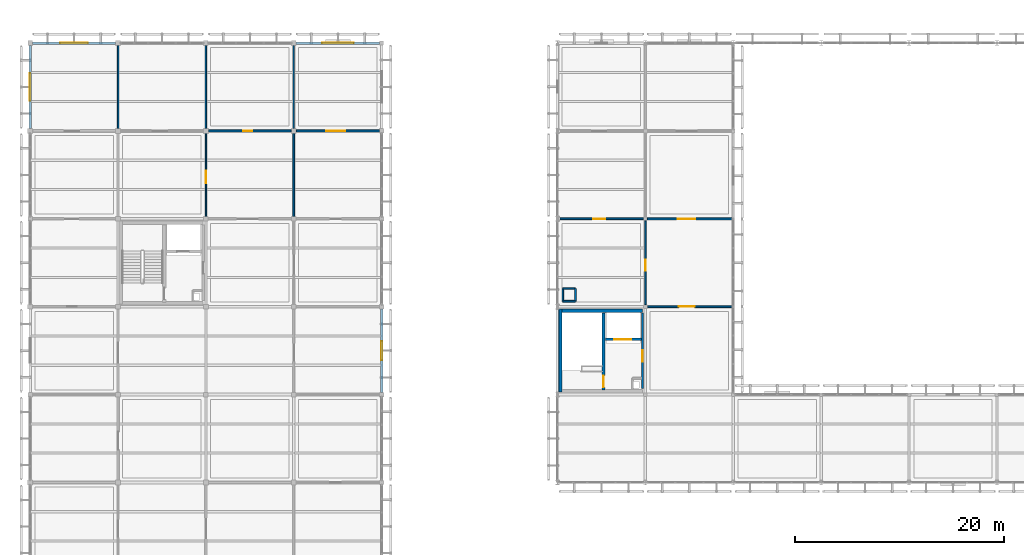
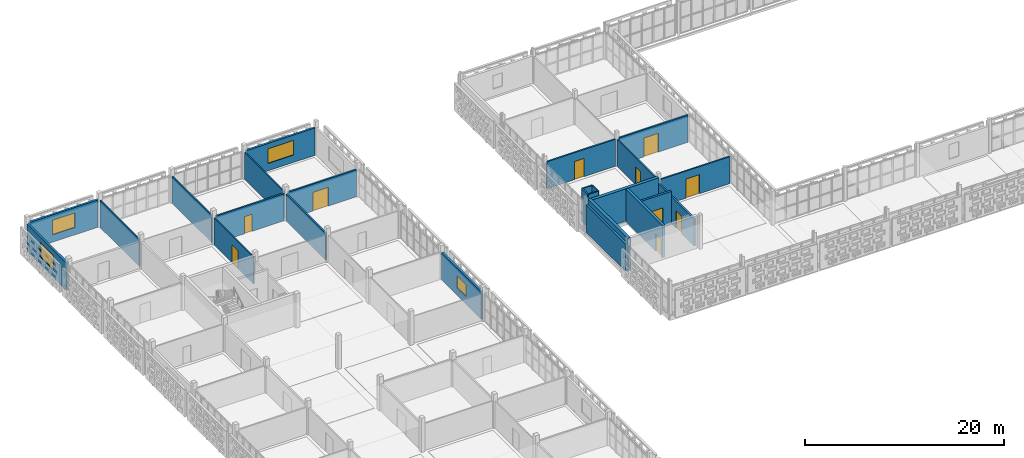
# One storey, part 87 of 140: 25 walls, 10 doors, 4 windows, 14 openings.
"""IFC4 building model written with IfcOpenShell, lengths in metres."""

from ifc_helpers import new_model, si_unit, direction, frame, frame_2d, origin, place, context, subcontext, project, spatial, rectangle, extrude, material, layer, layer_set, type_object, element, fill, save


model = new_model("IFC4")

# Units and contexts
model_context = context("Model", 3, precision=1e-05, world=origin(), true_north=direction((0.0, 1.0)))
body_context = subcontext(model_context, "Body", "Model", "MODEL_VIEW")
ifc_project = project(units=[si_unit("LENGTHUNIT", "METRE"), si_unit("AREAUNIT", "SQUARE_METRE"), si_unit("VOLUMEUNIT", "CUBIC_METRE"), si_unit("PLANEANGLEUNIT", "RADIAN"), si_unit("MASSUNIT", "GRAM", prefix="KILO")], contexts=[model_context])

# Site, building, storey
site_placement = place(None, origin())
site = spatial("IfcSite", under=ifc_project, at=site_placement, CompositionType="ELEMENT")
building_placement = place(site_placement, origin())
building = spatial("IfcBuilding", under=site, at=building_placement, Name="Varnapada Polytechnic", CompositionType="ELEMENT")
storey_placement = place(building_placement, frame((0.0, 0.0, 13.800048828125)))
storey = spatial("IfcBuildingStorey", under=building, at=storey_placement, Name="L03", CompositionType="ELEMENT", Elevation=13.800048828125)

# Wall, opening, door
ifc_material_1 = material(Name="Autoclaved Aerated Concrete Block AAC-600", Category="concrete")
ifc_layer_1 = layer(ifc_material_1, 0.199951171875)
ifc_layer_set_1 = layer_set([ifc_layer_1], Name="Autoclaved Aerated Concrete Block AAC-600")
wall_type_1 = type_object("IfcWallType", Name="Interior Wall IW-01", PredefinedType="PARTITIONING", material=ifc_layer_set_1)
wall_1_placement = place(storey_placement, frame((58.5400390625, 100.199951171875, 0.0), z_axis=(0.0, 0.0, 1.0), x_axis=(0.0, -1.0, 0.0)))
wall_1 = element("IfcWall", 1, at=wall_1_placement, inside=storey, type_object=wall_type_1, Name="L03 C4 firefighting lobby east wall", PredefinedType="PARTITIONING", context=body_context, shape_type="SweptSolid", body=[
    extrude(rectangle(XDim=7.199951171875, YDim=0.199951171875, at=frame_2d((3.60009765625, 0.0))), origin(), (0.0, 0.0, 1.0), 3.320068359375),
])
opening_1_placement = place(wall_1_placement, frame((3.550048828125, 0.0, 0.0)))
opening_1 = element("IfcOpeningElement", 2, at=opening_1_placement, cuts=wall_1, Name="Opening D-1192", PredefinedType="OPENING", context=body_context, shape_type="SweptSolid", body=[
    extrude(rectangle(XDim=1.10009765625, YDim=2.14990234375, at=frame_2d((0.550048828125, 1.074951171875))), frame((0.0, 0.10986328125, 0.0), z_axis=(0.0, -1.0, 0.0), x_axis=(1.0, 0.0, 0.0)), (0.0, 0.0, 1.0), 0.219970703125),
])
ifc_material_2 = material(Name="Galvanized Steel Z275", Category="steel")
door_type_1 = type_object("IfcDoorType", Name="Interior Door ID-01", OperationType="NOTDEFINED", PredefinedType="DOOR", material=ifc_material_2)
door_1_placement = place(opening_1_placement, frame((1.10009765625, 0.0, 0.0), z_axis=(0.0, 0.0, 1.0), x_axis=(-1.0, 0.0, 0.0)))
door_1 = element("IfcDoor", 3, at=door_1_placement, inside=storey, type_object=door_type_1, Name="L03 C4 lobby fire door D-1192", OperationType="SINGLE_SWING_RIGHT", OverallHeight=2.14990234375, OverallWidth=1.10009765625, PredefinedType="DOOR", context=body_context, shape_type="SweptSolid", body=[
    extrude(rectangle(XDim=1.10009765625, YDim=2.14990234375, at=frame_2d((0.550048828125, 1.074951171875))), frame((0.0, 0.02490234375, 0.0), z_axis=(0.0, -1.0, 0.0), x_axis=(1.0, 0.0, 0.0)), (0.0, 0.0, 1.0), 0.050048828125),
])
fill(opening_1, door_1)

# Walls
ifc_layer_2 = layer(ifc_material_1, 0.14990234375)
ifc_layer_set_2 = layer_set([ifc_layer_2], Name="Autoclaved Aerated Concrete Block AAC-600")
wall_type_2 = type_object("IfcWallType", Name="Interior Wall IW-02", PredefinedType="PARTITIONING", material=ifc_layer_set_2)
wall_2_placement = place(storey_placement, frame((50.919921875, 101.320068359375, 0.0), z_axis=(0.0, 0.0, 1.0), x_axis=(1.0, 0.0, 0.0)))
element("IfcWall", 4, at=wall_2_placement, inside=storey, type_object=wall_type_2, Name="L03 enclosed service riser wall (7,13) S", PredefinedType="PARTITIONING", context=body_context, shape_type="SweptSolid", body=[
    extrude(rectangle(XDim=1.2001953125, YDim=0.14990234375, at=frame_2d((0.60009765625, 0.0))), origin(), (0.0, 0.0, 1.0), 3.97998046875),
])
wall_3_placement = place(storey_placement, frame((52.1201171875, 101.320068359375, 0.0), z_axis=(0.0, 0.0, 1.0), x_axis=(0.0, 1.0, 0.0)))
element("IfcWall", 5, at=wall_3_placement, inside=storey, type_object=wall_type_2, Name="L03 enclosed service riser wall (7,13) E", PredefinedType="PARTITIONING", context=body_context, shape_type="SweptSolid", body=[
    extrude(rectangle(XDim=1.199951171875, YDim=0.14990234375, at=frame_2d((0.60009765625, 0.0))), origin(), (0.0, 0.0, 1.0), 3.97998046875),
])
wall_4_placement = place(storey_placement, frame((52.1201171875, 102.52001953125, 0.0), z_axis=(0.0, 0.0, 1.0), x_axis=(-1.0, 0.0, 0.0)))
element("IfcWall", 6, at=wall_4_placement, inside=storey, type_object=wall_type_2, Name="L03 enclosed service riser wall (7,13) N", PredefinedType="PARTITIONING", context=body_context, shape_type="SweptSolid", body=[
    extrude(rectangle(XDim=1.2001953125, YDim=0.14990234375, at=frame_2d((0.60009765625, 0.0))), origin(), (0.0, 0.0, 1.0), 3.97998046875),
])
wall_5_placement = place(storey_placement, frame((50.919921875, 102.52001953125, 0.0), z_axis=(0.0, 0.0, 1.0), x_axis=(0.0, -1.0, 0.0)))
element("IfcWall", 7, at=wall_5_placement, inside=storey, type_object=wall_type_2, Name="L03 enclosed service riser wall (7,13) W", PredefinedType="PARTITIONING", context=body_context, shape_type="SweptSolid", body=[
    extrude(rectangle(XDim=1.199951171875, YDim=0.14990234375, at=frame_2d((0.60009765625, 0.0))), origin(), (0.0, 0.0, 1.0), 3.97998046875),
])
wall_6_placement = place(storey_placement, frame((8.39990234375, 117.85009765625, 0.0), z_axis=(0.0, 0.0, 1.0), x_axis=(0.0, 1.0, 0.0)))
element("IfcWall", 8, at=wall_6_placement, inside=storey, type_object=wall_type_2, Name="L03 interior partition IW-L03-00-14-V", PredefinedType="PARTITIONING", context=body_context, shape_type="SweptSolid", body=[
    extrude(rectangle(XDim=7.909912109375, YDim=0.14990234375, at=frame_2d((3.955078125, 0.0))), origin(), (0.0, 0.0, 1.0), 3.320068359375),
])

# Wall, opening, door
ifc_material_3 = material(Name="Cross-laminated timber CLT C24", Category="wood")
ifc_layer_3 = layer(ifc_material_3, 0.159912109375)
ifc_layer_set_3 = layer_set([ifc_layer_3], Name="Cross-laminated timber CLT C24")
wall_type_3 = type_object("IfcWallType", Name="Interior Wall IW-05", PredefinedType="PARTITIONING", material=ifc_layer_set_3)
wall_7_placement = place(storey_placement, frame((58.800048828125, 101.0, 0.0), z_axis=(0.0, 0.0, 1.0), x_axis=(0.0, 1.0, 0.0)))
wall_7 = element("IfcWall", 9, at=wall_7_placement, inside=storey, type_object=wall_type_3, Name="L03 interior partition IW-L03-06-12-V", PredefinedType="PARTITIONING", context=body_context, shape_type="SweptSolid", body=[
    extrude(rectangle(XDim=8.010009765625, YDim=0.159912109375, at=frame_2d((4.0048828125, 0.0))), origin(), (0.0, 0.0, 1.0), 3.320068359375),
])
opening_2_placement = place(wall_7_placement, frame((3.22509765625, 0.0, 0.0)))
opening_2 = element("IfcOpeningElement", 10, at=opening_2_placement, cuts=wall_7, Name="Opening D-1231", PredefinedType="OPENING", context=body_context, shape_type="SweptSolid", body=[
    extrude(rectangle(XDim=1.050048828125, YDim=2.199951171875, at=frame_2d((0.52490234375, 1.10009765625))), frame((0.0, 0.08984375, 0.0), z_axis=(0.0, -1.0, 0.0), x_axis=(1.0, 0.0, 0.0)), (0.0, 0.0, 1.0), 0.179931640625),
])
ifc_material_4 = material(Name="Solid Teak Hardwood Timber", Category="wood")
door_type_2 = type_object("IfcDoorType", Name="Interior Door ID-09", OperationType="NOTDEFINED", PredefinedType="DOOR", material=ifc_material_4)
door_2_placement = place(opening_2_placement, origin())
door_2 = element("IfcDoor", 11, at=door_2_placement, inside=storey, type_object=door_type_2, Name="L03 interior room door D-1231", OperationType="SINGLE_SWING_RIGHT", OverallHeight=2.199951171875, OverallWidth=1.050048828125, PredefinedType="DOOR", context=body_context, shape_type="SweptSolid", body=[
    extrude(rectangle(XDim=1.050048828125, YDim=2.199951171875, at=frame_2d((0.52490234375, 1.10009765625))), frame((0.0, 0.02490234375, 0.0), z_axis=(0.0, -1.0, 0.0), x_axis=(1.0, 0.0, 0.0)), (0.0, 0.0, 1.0), 0.050048828125),
])
fill(opening_2, door_2)

ifc_material_5 = material(Name="Acoustic Double-Stud Studio Partition")
ifc_layer_4 = layer(ifc_material_5, 0.179931640625)
ifc_layer_set_4 = layer_set([ifc_layer_4], Name="Acoustic Double-Stud Studio Partition")
wall_type_4 = type_object("IfcWallType", Name="Interior Wall IW-06", PredefinedType="PARTITIONING", material=ifc_layer_set_4)
wall_8_placement = place(storey_placement, frame((50.64501953125, 109.199951171875, 0.0), z_axis=(0.0, 0.0, 1.0), x_axis=(1.0, 0.0, 0.0)))
wall_8 = element("IfcWall", 12, at=wall_8_placement, inside=storey, type_object=wall_type_4, Name="L03 interior partition IW-L03-06-12-H", PredefinedType="PARTITIONING", context=body_context, shape_type="SweptSolid", body=[
    extrude(rectangle(XDim=7.965087890625, YDim=0.179931640625, at=frame_2d((3.982421875, 0.0))), origin(), (0.0, 0.0, 1.0), 3.320068359375),
])
opening_3_placement = place(wall_8_placement, frame((3.175048828125, 0.0, 0.0)))
opening_3 = element("IfcOpeningElement", 13, at=opening_3_placement, cuts=wall_8, Name="Opening D-1232", PredefinedType="OPENING", context=body_context, shape_type="SweptSolid", body=[
    extrude(rectangle(XDim=1.14990234375, YDim=2.25, at=frame_2d((0.574951171875, 1.125))), frame((0.0, 0.099853515625, 0.0), z_axis=(0.0, -1.0, 0.0), x_axis=(1.0, 0.0, 0.0)), (0.0, 0.0, 1.0), 0.199951171875),
])
ifc_material_6 = material(Name="Powder-Coated Aluminium 6063-T6", Category="aluminium")
door_type_3 = type_object("IfcDoorType", Name="Interior Door ID-10", OperationType="NOTDEFINED", PredefinedType="DOOR", material=ifc_material_6)
door_3_placement = place(opening_3_placement, frame((1.14990234375, 0.0, 0.0), z_axis=(0.0, 0.0, 1.0), x_axis=(-1.0, 0.0, 0.0)))
door_3 = element("IfcDoor", 14, at=door_3_placement, inside=storey, type_object=door_type_3, Name="L03 interior room door D-1232", OperationType="SINGLE_SWING_LEFT", OverallHeight=2.25, OverallWidth=1.14990234375, PredefinedType="DOOR", context=body_context, shape_type="SweptSolid", body=[
    extrude(rectangle(XDim=1.14990234375, YDim=2.25, at=frame_2d((0.574951171875, 1.125))), frame((0.0, 0.02490234375, 0.0), z_axis=(0.0, -1.0, 0.0), x_axis=(1.0, 0.0, 0.0)), (0.0, 0.0, 1.0), 0.050048828125),
])
fill(opening_3, door_3)

ifc_material_7 = material(Name="Glazed Timber-Framed Studio Screen", Category="wood")
ifc_layer_5 = layer(ifc_material_7, 0.110107421875)
ifc_layer_set_5 = layer_set([ifc_layer_5], Name="Glazed Timber-Framed Studio Screen")
wall_type_5 = type_object("IfcWallType", Name="Interior Wall IW-07", PredefinedType="PARTITIONING", material=ifc_layer_set_5)
wall_9_placement = place(storey_placement, frame((16.800048828125, 109.43994140625, 0.0), z_axis=(0.0, 0.0, 1.0), x_axis=(0.0, 1.0, 0.0)))
wall_9 = element("IfcWall", 15, at=wall_9_placement, inside=storey, type_object=wall_type_5, Name="L03 interior partition IW-L03-01-13-V", PredefinedType="PARTITIONING", context=body_context, shape_type="SweptSolid", body=[
    extrude(rectangle(XDim=7.91015625, YDim=0.110107421875, at=frame_2d((3.955078125, 0.0))), origin(), (0.0, 0.0, 1.0), 3.320068359375),
])
opening_4_placement = place(wall_9_placement, frame((3.14990234375, 0.0, 0.0)))
opening_4 = element("IfcOpeningElement", 16, at=opening_4_placement, cuts=wall_9, Name="Opening D-1210", PredefinedType="OPENING", context=body_context, shape_type="SweptSolid", body=[
    extrude(rectangle(XDim=1.199951171875, YDim=2.199951171875, at=frame_2d((0.60009765625, 1.10009765625))), frame((0.0, 0.06494140625, 0.0), z_axis=(0.0, -1.0, 0.0), x_axis=(1.0, 0.0, 0.0)), (0.0, 0.0, 1.0), 0.130126953125),
])
door_type_4 = type_object("IfcDoorType", Name="Interior Door ID-05", OperationType="NOTDEFINED", PredefinedType="DOOR", material=ifc_material_4)
door_4_placement = place(opening_4_placement, origin())
door_4 = element("IfcDoor", 17, at=door_4_placement, inside=storey, type_object=door_type_4, Name="L03 interior room door D-1210", OperationType="SINGLE_SWING_LEFT", OverallHeight=2.199951171875, OverallWidth=1.199951171875, PredefinedType="DOOR", context=body_context, shape_type="SweptSolid", body=[
    extrude(rectangle(XDim=1.199951171875, YDim=2.199951171875, at=frame_2d((0.60009765625, 1.10009765625))), frame((0.0, 0.02490234375, 0.0), z_axis=(0.0, -1.0, 0.0), x_axis=(1.0, 0.0, 0.0)), (0.0, 0.0, 1.0), 0.050048828125),
])
fill(opening_4, door_4)

# Walls
ifc_material_8 = material(Name="Calcium Silicate Acoustic Lab Partition")
ifc_layer_6 = layer(ifc_material_8, 0.135009765625)
ifc_layer_set_6 = layer_set([ifc_layer_6], Name="Calcium Silicate Acoustic Lab Partition")
wall_type_6 = type_object("IfcWallType", Name="Interior Wall IW-09", PredefinedType="PARTITIONING", material=ifc_layer_set_6)
wall_10_placement = place(storey_placement, frame((16.800048828125, 117.85009765625, 0.0), z_axis=(0.0, 0.0, 1.0), x_axis=(0.0, 1.0, 0.0)))
element("IfcWall", 18, at=wall_10_placement, inside=storey, type_object=wall_type_6, Name="L03 interior partition IW-L03-01-14-V", PredefinedType="PARTITIONING", context=body_context, shape_type="SweptSolid", body=[
    extrude(rectangle(XDim=7.909912109375, YDim=0.135009765625, at=frame_2d((3.955078125, 0.0))), origin(), (0.0, 0.0, 1.0), 3.320068359375),
])
ifc_material_9 = material(Name="Double-Layer Fireboard Workshop Wall")
ifc_layer_7 = layer(ifc_material_9, 0.169921875)
ifc_layer_set_7 = layer_set([ifc_layer_7], Name="Double-Layer Fireboard Workshop Wall")
wall_type_7 = type_object("IfcWallType", Name="Interior Wall IW-10", PredefinedType="PARTITIONING", material=ifc_layer_set_7)
wall_11_placement = place(storey_placement, frame((25.199951171875, 109.43994140625, 0.0), z_axis=(0.0, 0.0, 1.0), x_axis=(0.0, 1.0, 0.0)))
element("IfcWall", 19, at=wall_11_placement, inside=storey, type_object=wall_type_7, Name="L03 interior partition IW-L03-02-13-V", PredefinedType="PARTITIONING", context=body_context, shape_type="SweptSolid", body=[
    extrude(rectangle(XDim=7.91015625, YDim=0.169921875, at=frame_2d((3.955078125, 0.0))), origin(), (0.0, 0.0, 1.0), 3.320068359375),
])

# Wall, opening, door
wall_12_placement = place(storey_placement, frame((59.0, 100.800048828125, 0.0), z_axis=(0.0, 0.0, 1.0), x_axis=(1.0, 0.0, 0.0)))
wall_12 = element("IfcWall", 20, at=wall_12_placement, inside=storey, type_object=wall_type_7, Name="L03 interior partition IW-L03-07-11-H", PredefinedType="PARTITIONING", context=body_context, shape_type="SweptSolid", body=[
    extrude(rectangle(XDim=8.054931640625, YDim=0.169921875, at=frame_2d((4.02734375, 0.0))), origin(), (0.0, 0.0, 1.0), 3.320068359375),
])
opening_5_placement = place(wall_12_placement, frame((2.97509765625, 0.0, 0.0)))
opening_5 = element("IfcOpeningElement", 21, at=opening_5_placement, cuts=wall_12, Name="Opening D-1234", PredefinedType="OPENING", context=body_context, shape_type="SweptSolid", body=[
    extrude(rectangle(XDim=1.550048828125, YDim=2.35009765625, at=frame_2d((0.77490234375, 1.175048828125))), frame((0.0, 0.094970703125, 0.0), z_axis=(0.0, -1.0, 0.0), x_axis=(1.0, 0.0, 0.0)), (0.0, 0.0, 1.0), 0.18994140625),
])
door_type_5 = type_object("IfcDoorType", Name="Interior Door ID-12", OperationType="NOTDEFINED", PredefinedType="DOOR", material=ifc_material_2)
door_5_placement = place(opening_5_placement, origin())
door_5 = element("IfcDoor", 22, at=door_5_placement, inside=storey, type_object=door_type_5, Name="L03 interior room door D-1234", OperationType="SINGLE_SWING_LEFT", OverallHeight=2.35009765625, OverallWidth=1.550048828125, PredefinedType="DOOR", context=body_context, shape_type="SweptSolid", body=[
    extrude(rectangle(XDim=1.550048828125, YDim=2.35009765625, at=frame_2d((0.77490234375, 1.175048828125))), frame((0.0, 0.02490234375, 0.0), z_axis=(0.0, -1.0, 0.0), x_axis=(1.0, 0.0, 0.0)), (0.0, 0.0, 1.0), 0.050048828125),
])
fill(opening_5, door_5)

ifc_material_10 = material(Name="Insulated Masonry Plant Room Wall", Category="masonry")
ifc_layer_8 = layer(ifc_material_10, 0.18994140625)
ifc_layer_set_8 = layer_set([ifc_layer_8], Name="Insulated Masonry Plant Room Wall")
wall_type_8 = type_object("IfcWallType", Name="Interior Wall IW-11", PredefinedType="PARTITIONING", material=ifc_layer_set_8)
wall_13_placement = place(storey_placement, frame((17.050048828125, 117.60009765625, 0.0), z_axis=(0.0, 0.0, 1.0), x_axis=(1.0, 0.0, 0.0)))
wall_13 = element("IfcWall", 23, at=wall_13_placement, inside=storey, type_object=wall_type_8, Name="L03 interior partition IW-L03-02-13-H", PredefinedType="PARTITIONING", context=body_context, shape_type="SweptSolid", body=[
    extrude(rectangle(XDim=7.89990234375, YDim=0.18994140625, at=frame_2d((3.949951171875, 0.0))), origin(), (0.0, 0.0, 1.0), 3.320068359375),
])
opening_6_placement = place(wall_13_placement, frame((3.300048828125, 0.0, 0.0)))
opening_6 = element("IfcOpeningElement", 24, at=opening_6_placement, cuts=wall_13, Name="Opening D-1220", PredefinedType="OPENING", context=body_context, shape_type="SweptSolid", body=[
    extrude(rectangle(XDim=0.89990234375, YDim=2.10009765625, at=frame_2d((0.449951171875, 1.050048828125))), frame((0.0, 0.10498046875, 0.0), z_axis=(0.0, -1.0, 0.0), x_axis=(1.0, 0.0, 0.0)), (0.0, 0.0, 1.0), 0.2099609375),
])
ifc_material_11 = material(Name="Moisture-Resistant HPL Timber", Category="wood")
door_type_6 = type_object("IfcDoorType", Name="Interior Door ID-15", OperationType="NOTDEFINED", PredefinedType="DOOR", material=ifc_material_11)
door_6_placement = place(opening_6_placement, frame((0.89990234375, 0.0, 0.0), z_axis=(0.0, 0.0, 1.0), x_axis=(-1.0, 0.0, 0.0)))
door_6 = element("IfcDoor", 25, at=door_6_placement, inside=storey, type_object=door_type_6, Name="L03 interior room door D-1220", OperationType="SINGLE_SWING_LEFT", OverallHeight=2.10009765625, OverallWidth=0.89990234375, PredefinedType="DOOR", context=body_context, shape_type="SweptSolid", body=[
    extrude(rectangle(XDim=0.89990234375, YDim=2.10009765625, at=frame_2d((0.449951171875, 1.050048828125))), frame((0.0, 0.02490234375, 0.0), z_axis=(0.0, -1.0, 0.0), x_axis=(1.0, 0.0, 0.0)), (0.0, 0.0, 1.0), 0.050048828125),
])
fill(opening_6, door_6)

wall_14_placement = place(storey_placement, frame((25.449951171875, 117.60009765625, 0.0), z_axis=(0.0, 0.0, 1.0), x_axis=(1.0, 0.0, 0.0)))
wall_14 = element("IfcWall", 26, at=wall_14_placement, inside=storey, type_object=wall_type_8, Name="L03 interior partition IW-L03-03-13-H", PredefinedType="PARTITIONING", context=body_context, shape_type="SweptSolid", body=[
    extrude(rectangle(XDim=7.920166015625, YDim=0.18994140625, at=frame_2d((3.9599609375, 0.0))), origin(), (0.0, 0.0, 1.0), 3.320068359375),
])
opening_7_placement = place(wall_14_placement, frame((2.85009765625, 0.0, 0.0)))
opening_7 = element("IfcOpeningElement", 27, at=opening_7_placement, cuts=wall_14, Name="Opening D-1226", PredefinedType="OPENING", context=body_context, shape_type="SweptSolid", body=[
    extrude(rectangle(XDim=1.800048828125, YDim=2.300048828125, at=frame_2d((0.89990234375, 1.14990234375))), frame((0.0, 0.10498046875, 0.0), z_axis=(0.0, -1.0, 0.0), x_axis=(1.0, 0.0, 0.0)), (0.0, 0.0, 1.0), 0.2099609375),
])
ifc_material_12 = material(Name="Acoustic Double Timber Leaf", Category="wood")
door_type_7 = type_object("IfcDoorType", Name="Interior Door ID-04", OperationType="NOTDEFINED", PredefinedType="DOOR", material=ifc_material_12)
door_7_placement = place(opening_7_placement, frame((1.800048828125, 0.0, 0.0), z_axis=(0.0, 0.0, 1.0), x_axis=(-1.0, 0.0, 0.0)))
door_7 = element("IfcDoor", 28, at=door_7_placement, inside=storey, type_object=door_type_7, Name="L03 interior room door D-1226", OperationType="SINGLE_SWING_LEFT", OverallHeight=2.300048828125, OverallWidth=1.800048828125, PredefinedType="DOOR", context=body_context, shape_type="SweptSolid", body=[
    extrude(rectangle(XDim=1.800048828125, YDim=2.300048828125, at=frame_2d((0.89990234375, 1.14990234375))), frame((0.0, 0.02490234375, 0.0), z_axis=(0.0, -1.0, 0.0), x_axis=(1.0, 0.0, 0.0)), (0.0, 0.0, 1.0), 0.050048828125),
])
fill(opening_7, door_7)

wall_15_placement = place(storey_placement, frame((58.989990234375, 109.199951171875, 0.0), z_axis=(0.0, 0.0, 1.0), x_axis=(1.0, 0.0, 0.0)))
wall_15 = element("IfcWall", 29, at=wall_15_placement, inside=storey, type_object=wall_type_8, Name="L03 interior partition IW-L03-07-12-H", PredefinedType="PARTITIONING", context=body_context, shape_type="SweptSolid", body=[
    extrude(rectangle(XDim=8.06494140625, YDim=0.18994140625, at=frame_2d((4.032470703125, 0.0))), origin(), (0.0, 0.0, 1.0), 3.320068359375),
])
opening_8_placement = place(wall_15_placement, frame((2.89990234375, 0.0, 0.0)))
opening_8 = element("IfcOpeningElement", 30, at=opening_8_placement, cuts=wall_15, Name="Opening D-1235", PredefinedType="OPENING", context=body_context, shape_type="SweptSolid", body=[
    extrude(rectangle(XDim=1.699951171875, YDim=2.300048828125, at=frame_2d((0.85009765625, 1.14990234375))), frame((0.0, 0.10498046875, 0.0), z_axis=(0.0, -1.0, 0.0), x_axis=(1.0, 0.0, 0.0)), (0.0, 0.0, 1.0), 0.2099609375),
])
door_type_8 = type_object("IfcDoorType", Name="Interior Door ID-13", OperationType="NOTDEFINED", PredefinedType="DOOR", material=ifc_material_12)
door_8_placement = place(opening_8_placement, frame((1.699951171875, 0.0, 0.0), z_axis=(0.0, 0.0, 1.0), x_axis=(-1.0, 0.0, 0.0)))
door_8 = element("IfcDoor", 31, at=door_8_placement, inside=storey, type_object=door_type_8, Name="L03 interior room door D-1235", OperationType="SINGLE_SWING_RIGHT", OverallHeight=2.300048828125, OverallWidth=1.699951171875, PredefinedType="DOOR", context=body_context, shape_type="SweptSolid", body=[
    extrude(rectangle(XDim=1.699951171875, YDim=2.300048828125, at=frame_2d((0.85009765625, 1.14990234375))), frame((0.0, 0.02490234375, 0.0), z_axis=(0.0, -1.0, 0.0), x_axis=(1.0, 0.0, 0.0)), (0.0, 0.0, 1.0), 0.050048828125),
])
fill(opening_8, door_8)

# Walls
ifc_material_13 = material(Name="Timber-Stud Studio Critique Partition", Category="wood")
ifc_layer_9 = layer(ifc_material_13, 0.114990234375)
ifc_layer_set_9 = layer_set([ifc_layer_9], Name="Timber-Stud Studio Critique Partition")
wall_type_9 = type_object("IfcWallType", Name="Interior Wall IW-12", PredefinedType="PARTITIONING", material=ifc_layer_set_9)
wall_16_placement = place(storey_placement, frame((25.199951171875, 117.85009765625, 0.0), z_axis=(0.0, 0.0, 1.0), x_axis=(0.0, 1.0, 0.0)))
element("IfcWall", 32, at=wall_16_placement, inside=storey, type_object=wall_type_9, Name="L03 interior partition IW-L03-02-14-V", PredefinedType="PARTITIONING", context=body_context, shape_type="SweptSolid", body=[
    extrude(rectangle(XDim=7.909912109375, YDim=0.114990234375, at=frame_2d((3.955078125, 0.0))), origin(), (0.0, 0.0, 1.0), 3.320068359375),
])
ifc_material_14 = material(Name="Concrete C40/50", Category="concrete")
ifc_layer_10 = layer(ifc_material_14, 0.35009765625)
ifc_layer_set_10 = layer_set([ifc_layer_10], Name="Concrete C40/50")
wall_type_10 = type_object("IfcWallType", Name="Interior Wall SW-01", PredefinedType="SHEAR", material=ifc_layer_set_10)
wall_17_placement = place(storey_placement, frame((50.6650390625, 92.64990234375, 0.0), z_axis=(0.0, 0.0, 1.0), x_axis=(0.0, 1.0, 0.0)))
element("IfcWall", 33, at=wall_17_placement, inside=storey, type_object=wall_type_10, Name="L03 C4 stair west shear wall", PredefinedType="SHEAR", context=body_context, shape_type="SweptSolid", body=[
    extrude(rectangle(XDim=7.940185546875, YDim=0.35009765625, at=frame_2d((3.97021484375, 0.0))), origin(), (0.0, 0.0, 1.0), 3.97998046875),
])
wall_18_placement = place(storey_placement, frame((50.6650390625, 100.419921875, 0.0), z_axis=(0.0, 0.0, 1.0), x_axis=(1.0, 0.0, 0.0)))
element("IfcWall", 34, at=wall_18_placement, inside=storey, type_object=wall_type_10, Name="L03 C4 core north shear wall", PredefinedType="SHEAR", context=body_context, shape_type="SweptSolid", body=[
    extrude(rectangle(XDim=7.875, YDim=0.35009765625, at=frame_2d((3.9375, 0.0))), origin(), (0.0, 0.0, 1.0), 3.97998046875),
])

# Wall, opening, door
ifc_layer_11 = layer(ifc_material_14, 0.300048828125)
ifc_layer_set_11 = layer_set([ifc_layer_11], Name="Concrete C40/50")
wall_type_11 = type_object("IfcWallType", Name="Interior Wall SW-02", PredefinedType="SHEAR", material=ifc_layer_set_11)
wall_19_placement = place(storey_placement, frame((54.81005859375, 92.820068359375, 0.0), z_axis=(0.0, 0.0, 1.0), x_axis=(0.0, 1.0, 0.0)))
wall_19 = element("IfcWall", 35, at=wall_19_placement, inside=storey, type_object=wall_type_11, Name="L03 C4 stair-lobby dividing shear wall", PredefinedType="SHEAR", context=body_context, shape_type="SweptSolid", body=[
    extrude(rectangle(XDim=7.3798828125, YDim=0.300048828125, at=frame_2d((3.68994140625, 0.0))), origin(), (0.0, 0.0, 1.0), 3.97998046875),
])
opening_9_placement = place(wall_19_placement, frame((0.280029296875, 0.0, 0.0)))
opening_9 = element("IfcOpeningElement", 36, at=opening_9_placement, cuts=wall_19, Name="Opening D-1193", PredefinedType="OPENING", context=body_context, shape_type="SweptSolid", body=[
    extrude(rectangle(XDim=1.10009765625, YDim=2.14990234375, at=frame_2d((0.550048828125, 1.074951171875))), frame((0.0, 0.159912109375, 0.0), z_axis=(0.0, -1.0, 0.0), x_axis=(1.0, 0.0, 0.0)), (0.0, 0.0, 1.0), 0.320068359375),
])
door_9_placement = place(opening_9_placement, origin())
door_9 = element("IfcDoor", 37, at=door_9_placement, inside=storey, type_object=door_type_1, Name="L03 C4 exit stair door D-1193", OperationType="SINGLE_SWING_RIGHT", OverallHeight=2.14990234375, OverallWidth=1.10009765625, PredefinedType="DOOR", context=body_context, shape_type="SweptSolid", body=[
    extrude(rectangle(XDim=1.10009765625, YDim=2.14990234375, at=frame_2d((0.550048828125, 1.074951171875))), frame((0.0, 0.02490234375, 0.0), z_axis=(0.0, -1.0, 0.0), x_axis=(1.0, 0.0, 0.0)), (0.0, 0.0, 1.0), 0.050048828125),
])
fill(opening_9, door_9)

ifc_layer_12 = layer(ifc_material_14, 0.25)
ifc_layer_set_12 = layer_set([ifc_layer_12], Name="Concrete C40/50")
wall_type_12 = type_object("IfcWallType", Name="Interior Wall SW-05", PredefinedType="SHEAR", material=ifc_layer_set_12)
wall_20_placement = place(storey_placement, frame((54.97998046875, 97.679931640625, 0.0), z_axis=(0.0, 0.0, 1.0), x_axis=(1.0, 0.0, 0.0)))
wall_20 = element("IfcWall", 38, at=wall_20_placement, inside=storey, type_object=wall_type_12, Name="L03 C4 lift shaft front wall", PredefinedType="SHEAR", context=body_context, shape_type="SweptSolid", body=[
    extrude(rectangle(XDim=3.4599609375, YDim=0.25, at=frame_2d((1.72998046875, 0.0))), origin(), (0.0, 0.0, 1.0), 3.97998046875),
])
opening_10_placement = place(wall_20_placement, frame((0.85009765625, 0.0, 0.0)))
opening_10 = element("IfcOpeningElement", 39, at=opening_10_placement, cuts=wall_20, Name="Opening LD-028", PredefinedType="OPENING", context=body_context, shape_type="SweptSolid", body=[
    extrude(rectangle(XDim=1.60009765625, YDim=2.300048828125, at=frame_2d((0.800048828125, 1.14990234375))), frame((0.0, 0.135009765625, 0.0), z_axis=(0.0, -1.0, 0.0), x_axis=(1.0, 0.0, 0.0)), (0.0, 0.0, 1.0), 0.27001953125),
])
ifc_material_15 = material(Name="Brushed Stainless Steel 316", Category="steel")
door_type_9 = type_object("IfcDoorType", Name="Interior Door LD-02", OperationType="NOTDEFINED", PredefinedType="DOOR", material=ifc_material_15)
door_10_placement = place(opening_10_placement, origin())
door_10 = element("IfcDoor", 40, at=door_10_placement, inside=storey, type_object=door_type_9, Name="L03 LFT-04 sliding lift landing door LD-028", OperationType="DOUBLE_DOOR_SLIDING", OverallHeight=2.300048828125, OverallWidth=1.60009765625, PredefinedType="DOOR", context=body_context, shape_type="SweptSolid", body=[
    extrude(rectangle(XDim=1.60009765625, YDim=2.300048828125, at=frame_2d((0.800048828125, 1.14990234375))), frame((0.0, 0.02490234375, 0.0), z_axis=(0.0, -1.0, 0.0), x_axis=(1.0, 0.0, 0.0)), (0.0, 0.0, 1.0), 0.050048828125),
])
fill(opening_10, door_10)

# Wall
ifc_material_16 = material(Name="Precast concrete C40/50", Category="concrete")
ifc_layer_13 = layer(ifc_material_16, 0.280029296875)
ifc_layer_set_13 = layer_set([ifc_layer_13], Name="Precast concrete C40/50")
wall_type_13 = type_object("IfcWallType", Name="Wall EW-02", PredefinedType="SOLIDWALL", material=ifc_layer_set_13)
wall_21_placement = place(storey_placement, frame((50.39990234375, 92.625, 0.0), z_axis=(0.0, 0.0, 1.0), x_axis=(0.0, 1.0, 0.0)))
element("IfcWall", 41, at=wall_21_placement, inside=storey, type_object=wall_type_13, Name="L03 exterior wall EW-02 (43)", PredefinedType="SOLIDWALL", context=body_context, shape_type="SweptSolid", body=[
    extrude(rectangle(XDim=7.949951171875, YDim=0.280029296875, at=frame_2d((3.97509765625, 0.0))), origin(), (0.0, 0.0, 1.0), 3.35986328125),
])

# Wall, opening, window
ifc_layer_14 = layer(ifc_material_16, 0.239990234375)
ifc_layer_set_14 = layer_set([ifc_layer_14], Name="Precast concrete C40/50")
wall_type_14 = type_object("IfcWallType", Name="Wall EW-06", PredefinedType="SOLIDWALL", material=ifc_layer_set_14)
wall_22_placement = place(storey_placement, frame((0.219970703125, 126.0, 0.0), z_axis=(0.0, 0.0, 1.0), x_axis=(1.0, 0.0, 0.0)))
wall_22 = element("IfcWall", 42, at=wall_22_placement, inside=storey, type_object=wall_type_14, Name="L03 exterior wall EW-06 (11)", PredefinedType="SOLIDWALL", context=body_context, shape_type="SweptSolid", body=[
    extrude(rectangle(XDim=7.9599609375, YDim=0.239990234375, at=frame_2d((3.97998046875, 0.0))), origin(), (0.0, 0.0, 1.0), 3.35986328125),
])
opening_11_placement = place(wall_22_placement, frame((2.655029296875, 0.0, 0.89990234375)))
opening_11 = element("IfcOpeningElement", 43, at=opening_11_placement, cuts=wall_22, Name="Opening WN-35", PredefinedType="OPENING", context=body_context, shape_type="SweptSolid", body=[
    extrude(rectangle(XDim=2.64990234375, YDim=1.800048828125, at=frame_2d((1.324951171875, 0.89990234375))), frame((0.0, 0.1298828125, 0.0), z_axis=(0.0, -1.0, 0.0), x_axis=(1.0, 0.0, 0.0)), (0.0, 0.0, 1.0), 0.260009765625),
])
ifc_material_17 = material(Name="Double low-E laminated glass", Category="glass")
window_type_1 = type_object("IfcWindowType", Name="Window WN-35", PartitioningType="SINGLE_PANEL", PredefinedType="WINDOW", material=ifc_material_17)
window_1_placement = place(opening_11_placement, origin())
window_1 = element("IfcWindow", 44, at=window_1_placement, inside=storey, type_object=window_type_1, Name="L03 window WN-35 (136)", OverallHeight=1.800048828125, OverallWidth=2.64990234375, PartitioningType="SINGLE_PANEL", PredefinedType="WINDOW", context=body_context, shape_type="SweptSolid", body=[
    extrude(rectangle(XDim=2.64990234375, YDim=1.800048828125, at=frame_2d((1.324951171875, 0.89990234375))), frame((0.0, 0.030029296875, 0.0), z_axis=(0.0, -1.0, 0.0), x_axis=(1.0, 0.0, 0.0)), (0.0, 0.0, 1.0), 0.06005859375),
])
fill(opening_11, window_1)

wall_23_placement = place(storey_placement, frame((0.0, 117.830078125, 0.0), z_axis=(0.0, 0.0, 1.0), x_axis=(0.0, 1.0, 0.0)))
wall_23 = element("IfcWall", 45, at=wall_23_placement, inside=storey, type_object=wall_type_14, Name="L03 exterior wall EW-06 (12)", PredefinedType="SOLIDWALL", context=body_context, shape_type="SweptSolid", body=[
    extrude(rectangle(XDim=7.949951171875, YDim=0.239990234375, at=frame_2d((3.97509765625, 0.0))), origin(), (0.0, 0.0, 1.0), 3.35986328125),
])
opening_12_placement = place(wall_23_placement, frame((2.64990234375, 0.0, 0.89990234375)))
opening_12 = element("IfcOpeningElement", 46, at=opening_12_placement, cuts=wall_23, Name="Opening WN-35", PredefinedType="OPENING", context=body_context, shape_type="SweptSolid", body=[
    extrude(rectangle(XDim=2.64990234375, YDim=1.800048828125, at=frame_2d((1.324951171875, 0.89990234375))), frame((0.0, 0.1298828125, 0.0), z_axis=(0.0, -1.0, 0.0), x_axis=(1.0, 0.0, 0.0)), (0.0, 0.0, 1.0), 0.260009765625),
])
window_2_placement = place(opening_12_placement, origin())
window_2 = element("IfcWindow", 47, at=window_2_placement, inside=storey, type_object=window_type_1, Name="L03 window WN-35 (137)", OverallHeight=1.800048828125, OverallWidth=2.64990234375, PartitioningType="SINGLE_PANEL", PredefinedType="WINDOW", context=body_context, shape_type="SweptSolid", body=[
    extrude(rectangle(XDim=2.64990234375, YDim=1.800048828125, at=frame_2d((1.324951171875, 0.89990234375))), frame((0.0, 0.030029296875, 0.0), z_axis=(0.0, -1.0, 0.0), x_axis=(1.0, 0.0, 0.0)), (0.0, 0.0, 1.0), 0.06005859375),
])
fill(opening_12, window_2)

wall_24_placement = place(storey_placement, frame((33.60009765625, 100.590087890625, 0.0), z_axis=(0.0, 0.0, 1.0), x_axis=(0.0, -1.0, 0.0)))
wall_24 = element("IfcWall", 48, at=wall_24_placement, inside=storey, type_object=wall_type_14, Name="L03 exterior wall EW-06 (28)", PredefinedType="SOLIDWALL", context=body_context, shape_type="SweptSolid", body=[
    extrude(rectangle(XDim=7.97998046875, YDim=0.239990234375, at=frame_2d((3.989990234375, 0.0))), origin(), (0.0, 0.0, 1.0), 3.35986328125),
])
opening_13_placement = place(wall_24_placement, frame((3.090087890625, 0.0, 0.89990234375)))
opening_13 = element("IfcOpeningElement", 49, at=opening_13_placement, cuts=wall_24, Name="Opening WN-05", PredefinedType="OPENING", context=body_context, shape_type="SweptSolid", body=[
    extrude(rectangle(XDim=1.800048828125, YDim=1.5, at=frame_2d((0.89990234375, 0.75))), frame((0.0, 0.1298828125, 0.0), z_axis=(0.0, -1.0, 0.0), x_axis=(1.0, 0.0, 0.0)), (0.0, 0.0, 1.0), 0.260009765625),
])
window_type_2 = type_object("IfcWindowType", Name="Window WN-05", PartitioningType="SINGLE_PANEL", PredefinedType="WINDOW", material=ifc_material_17)
window_3_placement = place(opening_13_placement, origin())
window_3 = element("IfcWindow", 50, at=window_3_placement, inside=storey, type_object=window_type_2, Name="L03 window WN-05 (143)", OverallHeight=1.5, OverallWidth=1.800048828125, PartitioningType="SINGLE_PANEL", PredefinedType="WINDOW", context=body_context, shape_type="SweptSolid", body=[
    extrude(rectangle(XDim=1.800048828125, YDim=1.5, at=frame_2d((0.89990234375, 0.75))), frame((0.0, 0.030029296875, 0.0), z_axis=(0.0, -1.0, 0.0), x_axis=(1.0, 0.0, 0.0)), (0.0, 0.0, 1.0), 0.06005859375),
])
fill(opening_13, window_3)

wall_25_placement = place(storey_placement, frame((25.419921875, 126.0, 0.0), z_axis=(0.0, 0.0, 1.0), x_axis=(1.0, 0.0, 0.0)))
wall_25 = element("IfcWall", 51, at=wall_25_placement, inside=storey, type_object=wall_type_14, Name="L03 exterior wall EW-06 (31)", PredefinedType="SOLIDWALL", context=body_context, shape_type="SweptSolid", body=[
    extrude(rectangle(XDim=7.989990234375, YDim=0.239990234375, at=frame_2d((3.9951171875, 0.0))), origin(), (0.0, 0.0, 1.0), 3.35986328125),
])
opening_14_placement = place(wall_25_placement, frame((2.4951171875, 0.0, 0.89990234375)))
opening_14 = element("IfcOpeningElement", 52, at=opening_14_placement, cuts=wall_25, Name="Opening WN-14", PredefinedType="OPENING", context=body_context, shape_type="SweptSolid", body=[
    extrude(rectangle(XDim=3.0, YDim=1.800048828125, at=frame_2d((1.5, 0.89990234375))), frame((0.0, 0.1298828125, 0.0), z_axis=(0.0, -1.0, 0.0), x_axis=(1.0, 0.0, 0.0)), (0.0, 0.0, 1.0), 0.260009765625),
])
window_type_3 = type_object("IfcWindowType", Name="Window WN-14", PartitioningType="SINGLE_PANEL", PredefinedType="WINDOW", material=ifc_material_17)
window_4_placement = place(opening_14_placement, origin())
window_4 = element("IfcWindow", 53, at=window_4_placement, inside=storey, type_object=window_type_3, Name="L03 window WN-14 (144)", OverallHeight=1.800048828125, OverallWidth=3.0, PartitioningType="SINGLE_PANEL", PredefinedType="WINDOW", context=body_context, shape_type="SweptSolid", body=[
    extrude(rectangle(XDim=3.0, YDim=1.800048828125, at=frame_2d((1.5, 0.89990234375))), frame((0.0, 0.030029296875, 0.0), z_axis=(0.0, -1.0, 0.0), x_axis=(1.0, 0.0, 0.0)), (0.0, 0.0, 1.0), 0.06005859375),
])
fill(opening_14, window_4)

save(model, "model.ifc")
